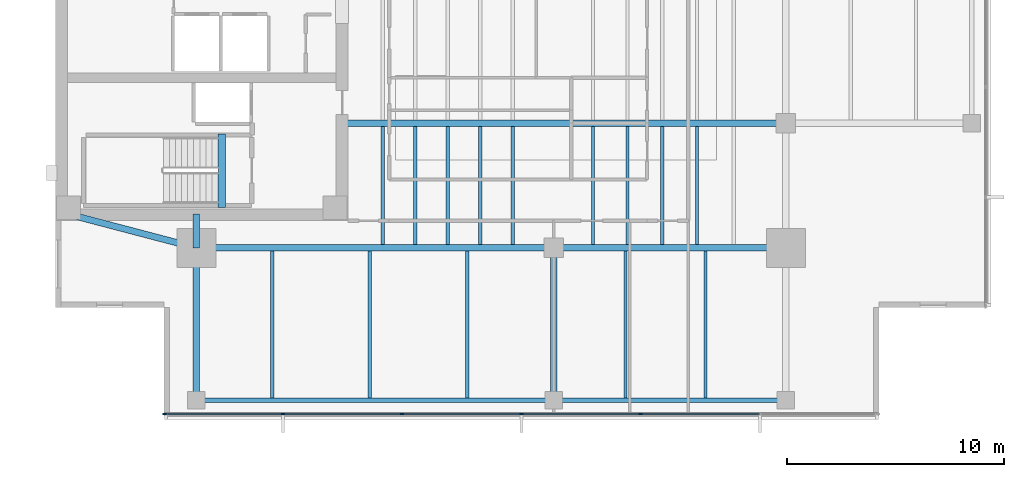
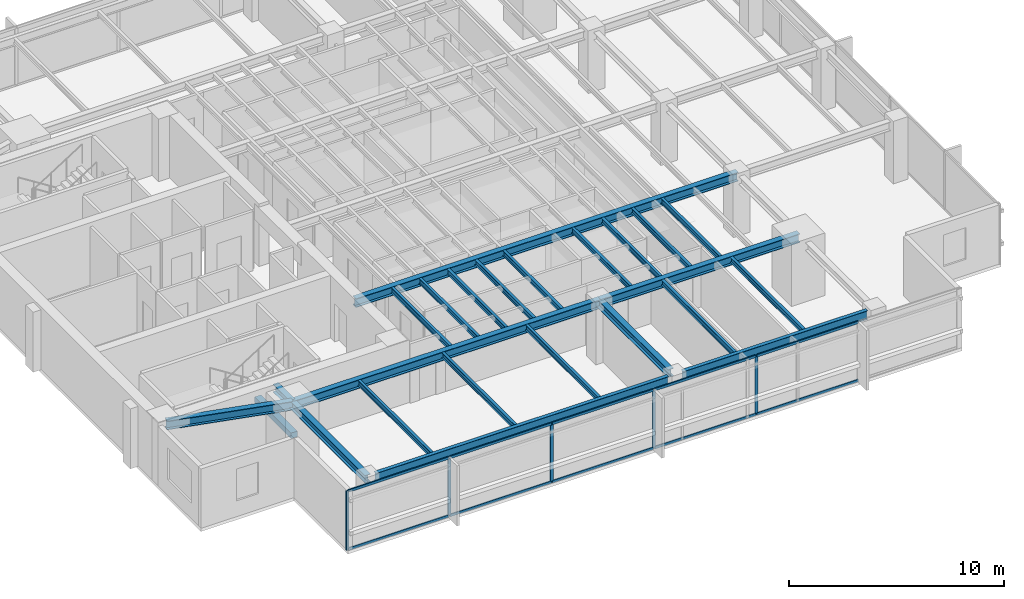
# One storey, part 2 of 14: 24 beams, 15 members, 1 element without a shape of its own.
"""IFC4 building model written with IfcOpenShell, lengths in metres."""

from ifc_helpers import new_model, si_unit, direction, frame, origin, origin_2d, place, context, subcontext, project, spatial, rectangle, i_section, extrude, material, layer, layer_set, material_profile, profile_set, type_object, element, aggregate, save


model = new_model("IFC4")

# Units and contexts
model_context = context("Model", 3, precision=1e-05, world=origin(), true_north=direction((0.0, 1.0)))
body_context = subcontext(model_context, "Body", "Model", "MODEL_VIEW")
ifc_project = project(units=[si_unit("LENGTHUNIT", "METRE"), si_unit("AREAUNIT", "SQUARE_METRE"), si_unit("VOLUMEUNIT", "CUBIC_METRE"), si_unit("PLANEANGLEUNIT", "RADIAN"), si_unit("MASSUNIT", "GRAM", prefix="KILO")], contexts=[model_context])

# Site, building, storey
site_placement = place(None, origin())
site = spatial("IfcSite", under=ifc_project, at=site_placement, CompositionType="ELEMENT")
building_placement = place(site_placement, origin())
building = spatial("IfcBuilding", under=site, at=building_placement, Name="Kinhvarn Gate Tower", CompositionType="ELEMENT")
storey_placement = place(building_placement, frame((0.0, 0.0, 212.89990234375)))
storey = spatial("IfcBuildingStorey", under=building, at=storey_placement, Name="L56", CompositionType="ELEMENT", Elevation=212.89990234375)

# Beam
ifc_material_1 = material(Name="Concrete C50/60", Category="concrete")
ifc_material_profile_1 = material_profile(ifc_material_1, rectangle(XDim=0.340087890625, YDim=0.320068359375, at=origin_2d()), Name="RC 340x320")
ifc_profile_set_1 = profile_set([ifc_material_profile_1], Name="Concrete C50/60")
beam_type_1 = type_object("IfcBeamType", Name="BM-LND-500", PredefinedType="BEAM", material=ifc_profile_set_1)
beam_1_placement = place(storey_placement, frame((12.1650390625, 14.60009765625, -0.159912109375), z_axis=(0.0, 1.0, 0.0), x_axis=(-1.0, 0.0, 0.0)))
element("IfcBeam", 1, at=beam_1_placement, inside=storey, type_object=beam_type_1, Name="Stair ST1 Landing Nosing Beam (L56)", PredefinedType="BEAM", context=body_context, shape_type="SweptSolid", body=[
    extrude(rectangle(XDim=0.340087890625, YDim=0.320068359375, at=origin_2d()), origin(), (0.0, 0.0, 1.0), 3.39990234375),
])

# Curtain wall, members
ifc_material_2 = material(Name="Anodised aluminium AW-6063", Category="aluminium")
ifc_layer = layer(ifc_material_2, 0.179931640625)
ifc_layer_set = layer_set([ifc_layer], Name="Anodised aluminium AW-6063")
curtain_wall_type = type_object("IfcCurtainWallType", Name="CW-SYS-3", PredefinedType="NOTDEFINED", material=ifc_layer_set)
curtain_wall_placement = place(storey_placement, origin())
curtain_wall = element("IfcCurtainWall", 2, at=curtain_wall_placement, inside=storey, type_object=curtain_wall_type, Name="Curtain Wall CW3 (L56)", PredefinedType="NOTDEFINED")
ifc_material_profile_2 = material_profile(ifc_material_2, rectangle(XDim=0.06494140625, YDim=0.159912109375, at=origin_2d()), Name="ALU 65x160")
ifc_profile_set_2 = profile_set([ifc_material_profile_2], Name="Anodised aluminium AW-6063")
member_type_1 = type_object("IfcMemberType", Name="CW-MUL-160", PredefinedType="MULLION", material=ifc_profile_set_2)
member_1_placement = place(storey_placement, frame((9.532470703125, 5.090087890625, 0.0), z_axis=(0.0, 0.0, 1.0), x_axis=(0.0, 1.0, 0.0)))
member_1 = element("IfcMember", 3, at=member_1_placement, type_object=member_type_1, Name="CW3 mullion 1", PredefinedType="MULLION", context=body_context, shape_type="SweptSolid", body=[
    extrude(rectangle(XDim=0.06494140625, YDim=0.159912109375, at=origin_2d()), origin(), (0.0, 0.0, 1.0), 3.3701171875),
])
member_2_placement = place(storey_placement, frame((15.0, 5.090087890625, 0.0), z_axis=(0.0, 0.0, 1.0), x_axis=(0.0, 1.0, 0.0)))
member_2 = element("IfcMember", 4, at=member_2_placement, type_object=member_type_1, Name="CW3 mullion 2", PredefinedType="MULLION", context=body_context, shape_type="SweptSolid", body=[
    extrude(rectangle(XDim=0.06494140625, YDim=0.159912109375, at=origin_2d()), origin(), (0.0, 0.0, 1.0), 3.3701171875),
])
member_3_placement = place(storey_placement, frame((20.5, 5.090087890625, 0.0), z_axis=(0.0, 0.0, 1.0), x_axis=(0.0, 1.0, 0.0)))
member_3 = element("IfcMember", 5, at=member_3_placement, type_object=member_type_1, Name="CW3 mullion 3", PredefinedType="MULLION", context=body_context, shape_type="SweptSolid", body=[
    extrude(rectangle(XDim=0.06494140625, YDim=0.159912109375, at=origin_2d()), origin(), (0.0, 0.0, 1.0), 3.3701171875),
])
member_4_placement = place(storey_placement, frame((26.0, 5.090087890625, 0.0), z_axis=(0.0, 0.0, 1.0), x_axis=(0.0, 1.0, 0.0)))
member_4 = element("IfcMember", 6, at=member_4_placement, type_object=member_type_1, Name="CW3 mullion 4", PredefinedType="MULLION", context=body_context, shape_type="SweptSolid", body=[
    extrude(rectangle(XDim=0.06494140625, YDim=0.159912109375, at=origin_2d()), origin(), (0.0, 0.0, 1.0), 3.3701171875),
])
member_5_placement = place(storey_placement, frame((31.5, 5.090087890625, 0.0), z_axis=(0.0, 0.0, 1.0), x_axis=(0.0, 1.0, 0.0)))
member_5 = element("IfcMember", 7, at=member_5_placement, type_object=member_type_1, Name="CW3 mullion 5", PredefinedType="MULLION", context=body_context, shape_type="SweptSolid", body=[
    extrude(rectangle(XDim=0.06494140625, YDim=0.159912109375, at=origin_2d()), origin(), (0.0, 0.0, 1.0), 3.3701171875),
])
ifc_material_profile_3 = material_profile(ifc_material_2, rectangle(XDim=0.070068359375, YDim=0.139892578125, at=origin_2d()), Name="ALU 70x140")
ifc_profile_set_3 = profile_set([ifc_material_profile_3], Name="Anodised aluminium AW-6063")
member_type_2 = type_object("IfcMemberType", Name="CW-TRN-140", PredefinedType="USERDEFINED", material=ifc_profile_set_3)
member_6_placement = place(storey_placement, frame((9.56494140625, 5.090087890625, 0.03515625), z_axis=(1.0, 0.0, 0.0), x_axis=(0.0, 1.0, 0.0)))
member_6 = element("IfcMember", 8, at=member_6_placement, type_object=member_type_2, Name="CW3 transom 1.1", ObjectType="TRANSOM", PredefinedType="USERDEFINED", context=body_context, shape_type="SweptSolid", body=[
    extrude(rectangle(XDim=0.070068359375, YDim=0.139892578125, at=origin_2d()), origin(), (0.0, 0.0, 1.0), 5.402587890625),
])
member_7_placement = place(storey_placement, frame((9.56494140625, 5.090087890625, 3.335205078125), z_axis=(1.0, 0.0, 0.0), x_axis=(0.0, 1.0, 0.0)))
member_7 = element("IfcMember", 9, at=member_7_placement, type_object=member_type_2, Name="CW3 transom 1.2", ObjectType="TRANSOM", PredefinedType="USERDEFINED", context=body_context, shape_type="SweptSolid", body=[
    extrude(rectangle(XDim=0.070068359375, YDim=0.139892578125, at=origin_2d()), origin(), (0.0, 0.0, 1.0), 5.402587890625),
])
member_8_placement = place(storey_placement, frame((15.032470703125, 5.090087890625, 0.03515625), z_axis=(1.0, 0.0, 0.0), x_axis=(0.0, 1.0, 0.0)))
member_8 = element("IfcMember", 10, at=member_8_placement, type_object=member_type_2, Name="CW3 transom 2.1", ObjectType="TRANSOM", PredefinedType="USERDEFINED", context=body_context, shape_type="SweptSolid", body=[
    extrude(rectangle(XDim=0.070068359375, YDim=0.139892578125, at=origin_2d()), origin(), (0.0, 0.0, 1.0), 5.43505859375),
])
member_9_placement = place(storey_placement, frame((15.032470703125, 5.090087890625, 3.335205078125), z_axis=(1.0, 0.0, 0.0), x_axis=(0.0, 1.0, 0.0)))
member_9 = element("IfcMember", 11, at=member_9_placement, type_object=member_type_2, Name="CW3 transom 2.2", ObjectType="TRANSOM", PredefinedType="USERDEFINED", context=body_context, shape_type="SweptSolid", body=[
    extrude(rectangle(XDim=0.070068359375, YDim=0.139892578125, at=origin_2d()), origin(), (0.0, 0.0, 1.0), 5.43505859375),
])
member_10_placement = place(storey_placement, frame((20.532470703125, 5.090087890625, 0.03515625), z_axis=(1.0, 0.0, 0.0), x_axis=(0.0, 1.0, 0.0)))
member_10 = element("IfcMember", 12, at=member_10_placement, type_object=member_type_2, Name="CW3 transom 3.1", ObjectType="TRANSOM", PredefinedType="USERDEFINED", context=body_context, shape_type="SweptSolid", body=[
    extrude(rectangle(XDim=0.070068359375, YDim=0.139892578125, at=origin_2d()), origin(), (0.0, 0.0, 1.0), 5.43505859375),
])
member_11_placement = place(storey_placement, frame((20.532470703125, 5.090087890625, 3.335205078125), z_axis=(1.0, 0.0, 0.0), x_axis=(0.0, 1.0, 0.0)))
member_11 = element("IfcMember", 13, at=member_11_placement, type_object=member_type_2, Name="CW3 transom 3.2", ObjectType="TRANSOM", PredefinedType="USERDEFINED", context=body_context, shape_type="SweptSolid", body=[
    extrude(rectangle(XDim=0.070068359375, YDim=0.139892578125, at=origin_2d()), origin(), (0.0, 0.0, 1.0), 5.43505859375),
])
member_12_placement = place(storey_placement, frame((26.032470703125, 5.090087890625, 0.03515625), z_axis=(1.0, 0.0, 0.0), x_axis=(0.0, 1.0, 0.0)))
member_12 = element("IfcMember", 14, at=member_12_placement, type_object=member_type_2, Name="CW3 transom 4.1", ObjectType="TRANSOM", PredefinedType="USERDEFINED", context=body_context, shape_type="SweptSolid", body=[
    extrude(rectangle(XDim=0.070068359375, YDim=0.139892578125, at=origin_2d()), origin(), (0.0, 0.0, 1.0), 5.43505859375),
])
member_13_placement = place(storey_placement, frame((26.032470703125, 5.090087890625, 3.335205078125), z_axis=(1.0, 0.0, 0.0), x_axis=(0.0, 1.0, 0.0)))
member_13 = element("IfcMember", 15, at=member_13_placement, type_object=member_type_2, Name="CW3 transom 4.2", ObjectType="TRANSOM", PredefinedType="USERDEFINED", context=body_context, shape_type="SweptSolid", body=[
    extrude(rectangle(XDim=0.070068359375, YDim=0.139892578125, at=origin_2d()), origin(), (0.0, 0.0, 1.0), 5.43505859375),
])
member_14_placement = place(storey_placement, frame((31.532470703125, 5.090087890625, 0.03515625), z_axis=(1.0, 0.0, 0.0), x_axis=(0.0, 1.0, 0.0)))
member_14 = element("IfcMember", 16, at=member_14_placement, type_object=member_type_2, Name="CW3 transom 5.1", ObjectType="TRANSOM", PredefinedType="USERDEFINED", context=body_context, shape_type="SweptSolid", body=[
    extrude(rectangle(XDim=0.070068359375, YDim=0.139892578125, at=origin_2d()), origin(), (0.0, 0.0, 1.0), 5.43505859375),
])
member_15_placement = place(storey_placement, frame((31.532470703125, 5.090087890625, 3.335205078125), z_axis=(1.0, 0.0, 0.0), x_axis=(0.0, 1.0, 0.0)))
member_15 = element("IfcMember", 17, at=member_15_placement, type_object=member_type_2, Name="CW3 transom 5.2", ObjectType="TRANSOM", PredefinedType="USERDEFINED", context=body_context, shape_type="SweptSolid", body=[
    extrude(rectangle(XDim=0.070068359375, YDim=0.139892578125, at=origin_2d()), origin(), (0.0, 0.0, 1.0), 5.43505859375),
])
aggregate(curtain_wall, [member_1, member_2, member_3, member_4, member_5, member_6, member_7, member_8, member_9, member_10, member_11, member_12, member_13, member_14, member_15])

# Beams
ifc_material_3 = material(Name="Steel S355", Category="steel")
ifc_material_profile_4 = material_profile(ifc_material_3, i_section(OverallWidth=0.300048828125, OverallDepth=0.449951171875, WebThickness=0.013916015625, FlangeThickness=0.02587890625, at=origin_2d()), Name="HEB 450")
ifc_profile_set_4 = profile_set([ifc_material_profile_4], Name="Steel S355")
beam_type_2 = type_object("IfcBeamType", Name="STL-HEB450", PredefinedType="BEAM", material=ifc_profile_set_4)
beam_2_placement = place(storey_placement, frame((11.0, 5.719970703125, 3.14501953125), z_axis=(0.0, 1.0, 0.0), x_axis=(-1.0, 0.0, 0.0)))
element("IfcBeam", 18, at=beam_2_placement, inside=storey, type_object=beam_type_2, Name="Floor Beam PG-13 (L56 MCW-S)", PredefinedType="BEAM", context=body_context, shape_type="SweptSolid", body=[
    extrude(i_section(OverallWidth=0.300048828125, OverallDepth=0.449951171875, WebThickness=0.013916015625, FlangeThickness=0.02587890625, at=origin_2d()), origin(), (0.0, 0.0, 1.0), 7.030029296875),
])
beam_3_placement = place(storey_placement, frame((11.0, 12.75, 3.14501953125), z_axis=(0.0, 1.0, 0.0), x_axis=(-1.0, 0.0, 0.0)))
element("IfcBeam", 19, at=beam_3_placement, inside=storey, type_object=beam_type_2, Name="Floor Beam PG-13 (L56 MCW-CS)", PredefinedType="BEAM", context=body_context, shape_type="SweptSolid", body=[
    extrude(i_section(OverallWidth=0.300048828125, OverallDepth=0.449951171875, WebThickness=0.013916015625, FlangeThickness=0.02587890625, at=origin_2d()), origin(), (0.0, 0.0, 1.0), 1.550048828125),
])
beam_4_placement = place(storey_placement, frame((27.5, 6.10498046875, 3.14501953125), z_axis=(0.0, 1.0, 0.0), x_axis=(-1.0, 0.0, 0.0)))
element("IfcBeam", 20, at=beam_4_placement, inside=storey, type_object=beam_type_2, Name="Floor Beam PG-13 (L56 SP27-S-TIE)", PredefinedType="BEAM", context=body_context, shape_type="SweptSolid", body=[
    extrude(i_section(OverallWidth=0.300048828125, OverallDepth=0.449951171875, WebThickness=0.013916015625, FlangeThickness=0.02587890625, at=origin_2d()), origin(), (0.0, 0.0, 1.0), 6.64501953125),
])
ifc_material_profile_5 = material_profile(ifc_material_3, i_section(OverallWidth=0.300048828125, OverallDepth=0.5, WebThickness=0.014404296875, FlangeThickness=0.028076171875, at=origin_2d()), Name="HEB 500")
ifc_profile_set_5 = profile_set([ifc_material_profile_5], Name="Steel S355")
beam_type_3 = type_object("IfcBeamType", Name="STL-HEB500", PredefinedType="BEAM", material=ifc_profile_set_5)
beam_5_placement = place(storey_placement, frame((11.0, 12.75, 3.1201171875), z_axis=(1.0, 0.0, 0.0), x_axis=(0.0, 1.0, 0.0)))
element("IfcBeam", 21, at=beam_5_placement, inside=storey, type_object=beam_type_3, Name="Floor Beam PG-14 (L56 MG-S1)", PredefinedType="BEAM", context=body_context, shape_type="SweptSolid", body=[
    extrude(i_section(OverallWidth=0.300048828125, OverallDepth=0.5, WebThickness=0.014404296875, FlangeThickness=0.028076171875, at=origin_2d()), origin(), (0.0, 0.0, 1.0), 16.5),
])
beam_6_placement = place(storey_placement, frame((27.5, 12.75, 3.1201171875), z_axis=(1.0, 0.0, 0.0), x_axis=(0.0, 1.0, 0.0)))
element("IfcBeam", 22, at=beam_6_placement, inside=storey, type_object=beam_type_3, Name="Floor Beam PG-14 (L56 MG-S2)", PredefinedType="BEAM", context=body_context, shape_type="SweptSolid", body=[
    extrude(i_section(OverallWidth=0.300048828125, OverallDepth=0.5, WebThickness=0.014404296875, FlangeThickness=0.028076171875, at=origin_2d()), origin(), (0.0, 0.0, 1.0), 10.699951171875),
])
beam_7_placement = place(storey_placement, frame((5.10009765625, 14.300048828125, 3.1201171875), z_axis=(0.967177623957, -0.254101246979, 0.0), x_axis=(0.254101246979, 0.967177623957, 0.0)))
element("IfcBeam", 23, at=beam_7_placement, inside=storey, type_object=beam_type_3, Name="Floor Beam PG-14 (L56 MG-SW-DIAG)", PredefinedType="BEAM", context=body_context, shape_type="SweptSolid", body=[
    extrude(i_section(OverallWidth=0.300048828125, OverallDepth=0.5, WebThickness=0.014404296875, FlangeThickness=0.028076171875, at=origin_2d()), origin(), (0.0, 0.0, 1.0), 6.10009765625),
])
beam_8_placement = place(storey_placement, frame((17.64990234375, 18.5, 3.1201171875), z_axis=(1.0, 0.0, 0.0), x_axis=(0.0, 1.0, 0.0)))
element("IfcBeam", 24, at=beam_8_placement, inside=storey, type_object=beam_type_3, Name="Floor Beam PG-14 (L56 EW1-Y18)", PredefinedType="BEAM", context=body_context, shape_type="SweptSolid", body=[
    extrude(i_section(OverallWidth=0.300048828125, OverallDepth=0.5, WebThickness=0.014404296875, FlangeThickness=0.028076171875, at=origin_2d()), origin(), (0.0, 0.0, 1.0), 20.550048828125),
])
ifc_material_profile_6 = material_profile(ifc_material_3, i_section(OverallWidth=0.14990234375, OverallDepth=0.300048828125, WebThickness=0.007080078125, FlangeThickness=0.0107421875, at=origin_2d()), Name="IPE 300")
ifc_profile_set_6 = profile_set([ifc_material_profile_6], Name="Steel S355")
beam_type_4 = type_object("IfcBeamType", Name="STL-IPE300", PredefinedType="JOIST", material=ifc_profile_set_6)
for number, where, z_axis, x_axis, name in (
    (25, (19.60009765625, 12.89990234375, 3.22021484375), (0.0, 1.0, 0.0), (-1.0, 0.0, 0.0), "Floor Joist SB-02 (L56 JC-X196-0)"),
    (26, (21.10009765625, 12.89990234375, 3.22021484375), (0.0, 1.0, 0.0), (-1.0, 0.0, 0.0), "Floor Joist SB-02 (L56 JC-X211-0)"),
    (27, (22.60009765625, 12.89990234375, 3.22021484375), (0.0, 1.0, 0.0), (-1.0, 0.0, 0.0), "Floor Joist SB-02 (L56 JC-X226-0)"),
    (28, (24.10009765625, 12.89990234375, 3.22021484375), (0.0, 1.0, 0.0), (-1.0, 0.0, 0.0), "Floor Joist SB-02 (L56 JC-X241-0)"),
    (29, (25.60009765625, 12.89990234375, 3.22021484375), (0.0, 1.0, 0.0), (-1.0, 0.0, 0.0), "Floor Joist SB-02 (L56 JC-X256-0)"),
    (30, (29.300048828125, 12.89990234375, 3.22021484375), (0.0, 1.0, 0.0), (-1.0, 0.0, 0.0), "Floor Joist SB-02 (L56 JC-X293-0)"),
    (31, (30.89990234375, 12.89990234375, 3.22021484375), (0.0, 1.0, 0.0), (-1.0, 0.0, 0.0), "Floor Joist SB-02 (L56 JC-X309-0)"),
    (32, (32.5, 12.89990234375, 3.22021484375), (0.0, 1.0, 0.0), (-1.0, 0.0, 0.0), "Floor Joist SB-02 (L56 JC-X325-0)"),
    (33, (34.10009765625, 12.89990234375, 3.22021484375), (0.0, 1.0, 0.0), (-1.0, 0.0, 0.0), "Floor Joist SB-02 (L56 JC-X341-0)"),
):
    element("IfcBeam", number, at=place(storey_placement, frame(where, z_axis=z_axis, x_axis=x_axis)), inside=storey, type_object=beam_type_4, Name=name, PredefinedType="JOIST", context=body_context, shape_type="SweptSolid", body=[
        extrude(i_section(OverallWidth=0.14990234375, OverallDepth=0.300048828125, WebThickness=0.007080078125, FlangeThickness=0.0107421875, at=origin_2d()), origin(), (0.0, 0.0, 1.0), 5.4501953125),
    ])
for number, where, z_axis, x_axis, name in (
    (34, (14.5, 5.820068359375, 3.22021484375), (0.0, 1.0, 0.0), (-1.0, 0.0, 0.0), "Floor Joist SB-02 (L56 JS-X145)"),
    (35, (19.0, 5.820068359375, 3.22021484375), (0.0, 1.0, 0.0), (-1.0, 0.0, 0.0), "Floor Joist SB-02 (L56 JS-X190)"),
    (36, (23.5, 5.820068359375, 3.22021484375), (0.0, 1.0, 0.0), (-1.0, 0.0, 0.0), "Floor Joist SB-02 (L56 JS-X235)"),
    (37, (30.800048828125, 5.820068359375, 3.22021484375), (0.0, 1.0, 0.0), (-1.0, 0.0, 0.0), "Floor Joist SB-02 (L56 JS-X308)"),
    (38, (34.5, 5.820068359375, 3.22021484375), (0.0, 1.0, 0.0), (-1.0, 0.0, 0.0), "Floor Joist SB-02 (L56 JS-X345)"),
):
    element("IfcBeam", number, at=place(storey_placement, frame(where, z_axis=z_axis, x_axis=x_axis)), inside=storey, type_object=beam_type_4, Name=name, PredefinedType="JOIST", context=body_context, shape_type="SweptSolid", body=[
        extrude(i_section(OverallWidth=0.14990234375, OverallDepth=0.300048828125, WebThickness=0.007080078125, FlangeThickness=0.0107421875, at=origin_2d()), origin(), (0.0, 0.0, 1.0), 6.780029296875),
    ])
ifc_material_profile_7 = material_profile(ifc_material_3, i_section(OverallWidth=0.199951171875, OverallDepth=0.5, WebThickness=0.01025390625, FlangeThickness=0.01611328125, at=origin_2d()), Name="IPE 500")
ifc_profile_set_7 = profile_set([ifc_material_profile_7], Name="Steel S355")
beam_type_5 = type_object("IfcBeamType", Name="STL-IPE500", PredefinedType="SPANDREL", material=ifc_profile_set_7)
beam_9_placement = place(storey_placement, frame((11.385009765625, 5.719970703125, 3.1201171875), z_axis=(1.0, 0.0, 0.0), x_axis=(0.0, 1.0, 0.0)))
element("IfcBeam", 39, at=beam_9_placement, inside=storey, type_object=beam_type_5, Name="Floor Spandrel SB-07 (L56 SP-S1)", PredefinedType="SPANDREL", context=body_context, shape_type="SweptSolid", body=[
    extrude(i_section(OverallWidth=0.199951171875, OverallDepth=0.5, WebThickness=0.01025390625, FlangeThickness=0.01611328125, at=origin_2d()), origin(), (0.0, 0.0, 1.0), 15.72998046875),
])
beam_10_placement = place(storey_placement, frame((27.885009765625, 5.719970703125, 3.1201171875), z_axis=(1.0, 0.0, 0.0), x_axis=(0.0, 1.0, 0.0)))
element("IfcBeam", 40, at=beam_10_placement, inside=storey, type_object=beam_type_5, Name="Floor Spandrel SB-07 (L56 SP-S2)", PredefinedType="SPANDREL", context=body_context, shape_type="SweptSolid", body=[
    extrude(i_section(OverallWidth=0.199951171875, OverallDepth=0.5, WebThickness=0.01025390625, FlangeThickness=0.01611328125, at=origin_2d()), origin(), (0.0, 0.0, 1.0), 9.929931640625),
])

save(model, "model.ifc")
